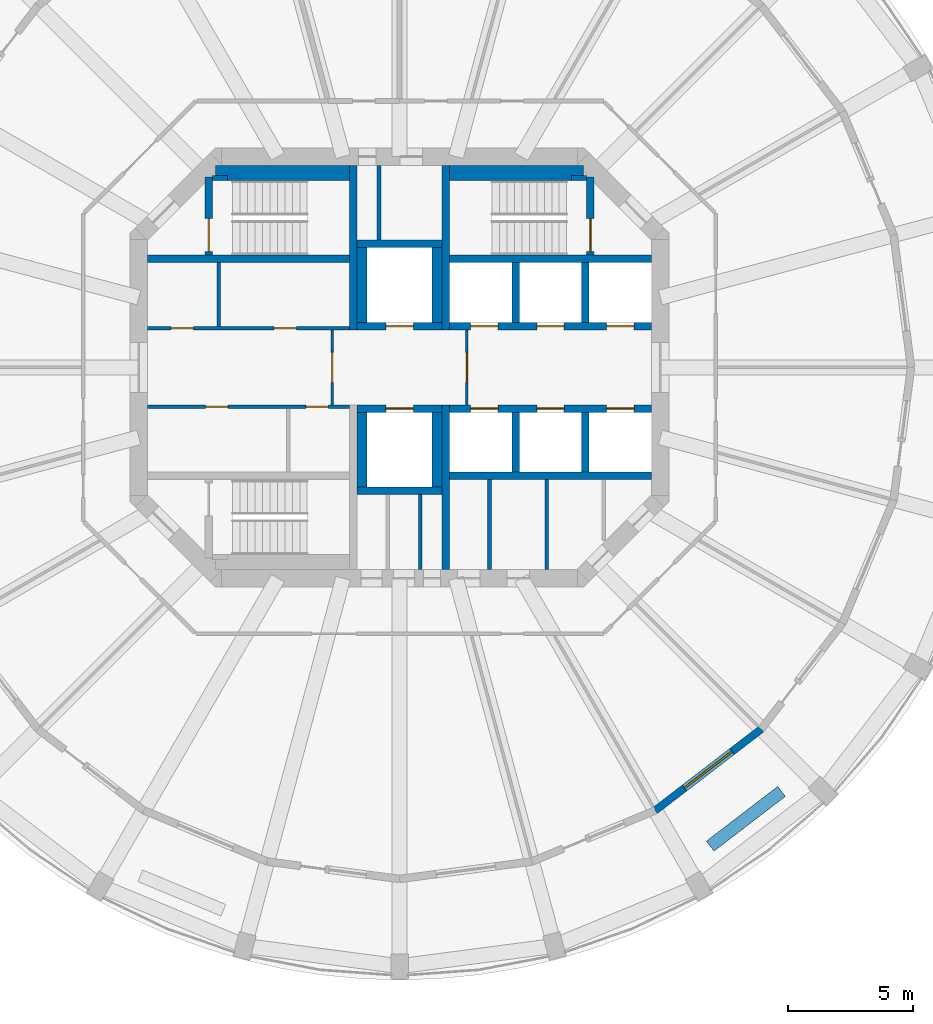
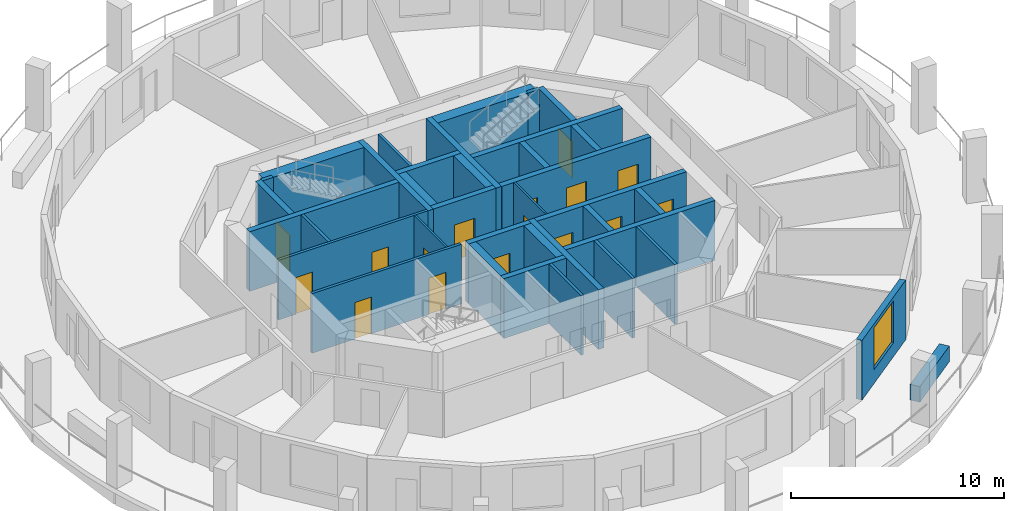
# One storey, part 4 of 9: 37 walls, 16 doors, 1 window, 17 openings.
"""IFC4 building model written with IfcOpenShell, lengths in metres."""

import ifcopenshell
import ifcopenshell.guid

model = None  # the IFC model being written
_history = None  # IfcOwnerHistory: only IFC2X3 demands one
_inside = {}  # id of a spatial element -> (the spatial element, [elements in it])
_under = {}  # id of a project, library or spatial element -> (it, [spatial elements below it])
_declared = {}  # id of a project -> (the project, [libraries it declares])
_typed = {}  # id of a type object -> (the type object, [elements of that type])
_made_of = {}  # id of a material, layer set ... -> (it, [elements and type objects made of it])


def new_model(schema):
    """Start an empty IFC model of exactly this schema.

    Asked for "IFC4X3", IfcOpenShell would pick the latest addendum, in which some entities
    have other attributes; the version numbers below select the first issue.
    IFC2X3 requires an IfcOwnerHistory on every rooted entity: one is made here for all.
    """
    global model, _history
    if schema == "IFC4X3":
        model = ifcopenshell.file(schema_version=(4, 3, 0, 0))
    else:
        model = ifcopenshell.file(schema=schema)
    _inside.clear()
    _under.clear()
    _declared.clear()
    _typed.clear()
    _made_of.clear()
    _history = None
    if model.schema == "IFC2X3":
        org = make("IfcOrganization", Name="unknown")
        user = make(
            "IfcPersonAndOrganization",
            ThePerson=make("IfcPerson", FamilyName="unknown"),
            TheOrganization=org,
        )
        app = make(
            "IfcApplication",
            ApplicationDeveloper=org,
            Version="unknown",
            ApplicationFullName="unknown",
            ApplicationIdentifier="unknown",
        )
        _history = make(
            "IfcOwnerHistory",
            OwningUser=user,
            OwningApplication=app,
            ChangeAction="ADDED",
            CreationDate=0,
        )
    return model


def make(cls, **values):
    """One entity of the class cls with the attributes given. An attribute that is None is left unset."""
    return model.create_entity(
        cls, **{name: value for name, value in values.items() if value is not None}
    )


def rooted(cls, **values):
    """An entity with a GlobalId (a new one), such as an element, a storey or a relation."""
    return make(cls, GlobalId=ifcopenshell.guid.new(), OwnerHistory=_history, **values)


def si_unit(unit_type, name, prefix=None):
    """IfcSIUnit, for example si_unit("LENGTHUNIT", "METRE", prefix="MILLI")."""
    return make("IfcSIUnit", UnitType=unit_type, Prefix=prefix, Name=name)


def assignment(units):
    """IfcUnitAssignment: the units of a project."""
    return None if units is None else make("IfcUnitAssignment", Units=units)


def point(xyz):
    """IfcCartesianPoint."""
    return None if xyz is None else make("IfcCartesianPoint", Coordinates=xyz)


def direction(xyz):
    """IfcDirection."""
    return None if xyz is None else make("IfcDirection", DirectionRatios=xyz)


def frame(location, z_axis=None, x_axis=None):
    """IfcAxis2Placement3D, a coordinate frame: its origin and axes. An axis left out is left unset."""
    return make(
        "IfcAxis2Placement3D",
        Location=point(location),
        Axis=direction(z_axis),
        RefDirection=direction(x_axis),
    )


def frame_2d(location, x_axis=None):
    """IfcAxis2Placement2D, a coordinate frame in the plane: its origin and x axis."""
    return make(
        "IfcAxis2Placement2D", Location=point(location), RefDirection=direction(x_axis)
    )


def origin():
    """The frame at (0, 0, 0) with its axes left unset."""
    return frame((0.0, 0.0, 0.0))


def place(relative_to, where):
    """IfcLocalPlacement: puts the frame where relative to a parent placement (None: the world)."""
    return make(
        "IfcLocalPlacement", PlacementRelTo=relative_to, RelativePlacement=where
    )


def context(
    kind, dimensions, precision=None, world=None, true_north=None, identifier=None
):
    """IfcGeometricRepresentationContext, for example the 3D "Model" context."""
    return make(
        "IfcGeometricRepresentationContext",
        ContextIdentifier=identifier,
        ContextType=kind,
        CoordinateSpaceDimension=dimensions,
        Precision=precision,
        WorldCoordinateSystem=world,
        TrueNorth=true_north,
    )


def subcontext(parent, identifier, kind, view, scale=None):
    """IfcGeometricRepresentationSubContext, for example "Body" below "Model"."""
    return make(
        "IfcGeometricRepresentationSubContext",
        ContextIdentifier=identifier,
        ContextType=kind,
        ParentContext=parent,
        TargetScale=scale,
        TargetView=view,
    )


def project(units=None, contexts=None):
    """IfcProject with its units and contexts."""
    return rooted(
        "IfcProject",
        Name="project",
        RepresentationContexts=contexts,
        UnitsInContext=assignment(units),
    )


def spatial(cls, under=None, at=None, **own):
    """A site, building, storey or space (cls), placed at a placement, below another one or the project."""
    s = rooted(cls, ObjectPlacement=at, **own)
    if under is not None:
        _under.setdefault(under.id(), (under, []))[1].append(s)
    return s


def profile(cls, at=None, kind="AREA", **sizes):
    """A parametric profile (cls). Its sizes go by their IFC names, for example OverallWidth=200.0."""
    return make(cls, ProfileType=kind, Position=at, **sizes)


def rectangle(**sizes):
    """IfcRectangleProfileDef."""
    return profile("IfcRectangleProfileDef", **sizes)


def extrude(swept, where, along, depth):
    """IfcExtrudedAreaSolid: the profile swept, set in the frame where, extruded along a direction by depth."""
    return make(
        "IfcExtrudedAreaSolid",
        SweptArea=swept,
        Position=where,
        ExtrudedDirection=direction(along),
        Depth=depth,
    )


def shape(context_of_items, identifier, shape_type, items):
    """IfcShapeRepresentation: the items that make up one representation, for example the "Body"."""
    return make(
        "IfcShapeRepresentation",
        ContextOfItems=context_of_items,
        RepresentationIdentifier=identifier,
        RepresentationType=shape_type,
        Items=items,
    )


def material(Name=None, Category=None):
    """IfcMaterial."""
    return make("IfcMaterial", Name=Name, Category=Category)


def layer(
    of_material, thickness, ventilated=None, Name=None, Category=None, Priority=None
):
    """IfcMaterialLayer: one layer of a wall or slab, of a material (None: an air gap)."""
    return make(
        "IfcMaterialLayer",
        Material=of_material,
        LayerThickness=thickness,
        IsVentilated=ventilated,
        Name=Name,
        Category=Category,
        Priority=Priority,
    )


def layer_set(layers, Name=None):
    """IfcMaterialLayerSet."""
    return make("IfcMaterialLayerSet", MaterialLayers=layers, LayerSetName=Name)


def made_of(thing, what):
    """Note that an element or type object is made of a material, layer set ...; save() writes the relation."""
    if what is not None:
        _made_of.setdefault(what.id(), (what, []))[1].append(thing)
    return thing


def type_object(cls, material=None, **own):
    """A type object (cls), such as IfcWallType, which elements share."""
    return made_of(rooted(cls, **own), material)


def element(
    cls,
    number,
    at=None,
    inside=None,
    cuts=None,
    type_object=None,
    material=None,
    context=None,
    identifier="Body",
    shape_type=None,
    held_by="IfcProductDefinitionShape",
    body=None,
    shapes=None,
    **own,
):
    """One element of the class cls, such as IfcWall. Its Tag is "e" and its number.

    at: its placement. inside: the storey or other place that contains it. cuts: it is an
    opening in that element (IfcRelVoidsElement). A single representation is given by context,
    identifier, shape_type and body (its items); several are given by shapes. held_by: the class
    of the entity that holds the representations. save() writes the other relations.
    """
    e = rooted(cls, Tag="e%d" % number, ObjectPlacement=at, **own)
    if body is not None:
        shapes = [shape(context, identifier, shape_type, body)]
    if shapes is not None:
        e.Representation = make(held_by, Representations=shapes)
    if inside is not None:
        _inside.setdefault(inside.id(), (inside, []))[1].append(e)
    if cuts is not None:
        rooted(
            "IfcRelVoidsElement", RelatingBuildingElement=cuts, RelatedOpeningElement=e
        )
    if type_object is not None:
        _typed.setdefault(type_object.id(), (type_object, []))[1].append(e)
    return made_of(e, material)


def fill(opening, filler):
    """IfcRelFillsElement: the door or window that sits in an opening."""
    return rooted(
        "IfcRelFillsElement",
        RelatingOpeningElement=opening,
        RelatedBuildingElement=filler,
    )


def aggregate(whole, parts):
    """IfcRelAggregates: a whole, such as a stair, and the parts it consists of."""
    return rooted("IfcRelAggregates", RelatingObject=whole, RelatedObjects=parts)


def save(model, path):
    """Write the relations noted so far, then the file.

    IfcRelAggregates (storeys below a building ...), IfcRelContainedInSpatialStructure (elements
    in a storey), IfcRelDefinesByType, IfcRelAssociatesMaterial and IfcRelDeclares: one each for
    every whole, place, type object, material and project.
    """
    for whole, parts in _under.values():
        aggregate(whole, parts)
    for where, things in _inside.values():
        rooted(
            "IfcRelContainedInSpatialStructure",
            RelatedElements=things,
            RelatingStructure=where,
        )
    for kind, things in _typed.values():
        rooted("IfcRelDefinesByType", RelatedObjects=things, RelatingType=kind)
    for what, things in _made_of.values():
        rooted("IfcRelAssociatesMaterial", RelatedObjects=things, RelatingMaterial=what)
    for by, libraries in _declared.values():
        rooted("IfcRelDeclares", RelatingContext=by, RelatedDefinitions=libraries)
    model.write(path)


model = new_model("IFC4")

# Units and contexts
model_context = context("Model", 3, precision=1e-05, world=origin(), true_north=direction((0.0, 1.0)))
body_context = subcontext(model_context, "Body", "Model", "MODEL_VIEW")
ifc_project = project(units=[si_unit("LENGTHUNIT", "METRE"), si_unit("AREAUNIT", "SQUARE_METRE"), si_unit("VOLUMEUNIT", "CUBIC_METRE"), si_unit("PLANEANGLEUNIT", "RADIAN"), si_unit("MASSUNIT", "GRAM", prefix="KILO")], contexts=[model_context])

# Site, building, storey
site_placement = place(None, origin())
site = spatial("IfcSite", under=ifc_project, at=site_placement, CompositionType="ELEMENT")
building_placement = place(site_placement, origin())
building = spatial("IfcBuilding", under=site, at=building_placement, Name="Torre Triforio", CompositionType="ELEMENT")
storey_placement = place(building_placement, frame((0.0, 0.0, 226.10009765625)))
storey = spatial("IfcBuildingStorey", under=building, at=storey_placement, Name="L51", CompositionType="ELEMENT", Elevation=226.10009765625)

# Walls
ifc_material_1 = material(Name="Concrete C50", Category="concrete")
ifc_layer_1 = layer(ifc_material_1, 0.300048828125)
ifc_layer_set_1 = layer_set([ifc_layer_1], Name="Concrete C50")
wall_type_1 = type_object("IfcWallType", Name="Core wall 300 mm C50 EI 120", PredefinedType="SHEAR", material=ifc_layer_set_1)
for number, where, z_axis, x_axis, name in (
    (1, (-1.85009765625, 1.5, 0.0), (0.0, 0.0, 1.0), (0.0, 1.0, 0.0), "Core wall"),
    (2, (1.85009765625, 1.5, 0.0), (0.0, 0.0, 1.0), (0.0, 1.0, 0.0), "Core wall"),
    (3, (1.85009765625, -8.10009765625, 0.0), (0.0, 0.0, 1.0), (0.0, 1.0, 0.0), "Core wall"),
):
    element("IfcWall", number, at=place(storey_placement, frame(where, z_axis=z_axis, x_axis=x_axis)), inside=storey, type_object=wall_type_1, Name=name, PredefinedType="SHEAR", context=body_context, shape_type="SweptSolid", body=[
        extrude(rectangle(XDim=6.60009765625, YDim=0.300048828125, at=frame_2d((3.300048828125, 0.0))), origin(), (0.0, 0.0, 1.0), 3.419921875),
    ])

# Wall, opening, door
ifc_material_2 = material(Name="Block and board partition")
ifc_layer_2 = layer(ifc_material_2, 0.10009765625)
ifc_layer_set_2 = layer_set([ifc_layer_2], Name="Block and board partition")
wall_type_2 = type_object("IfcWallType", Name="Partition 100 mm EI 120", PredefinedType="PARTITIONING", material=ifc_layer_set_2)
wall_1_placement = place(storey_placement, frame((-2.699951171875, -1.5, 0.0), z_axis=(0.0, 0.0, 1.0), x_axis=(0.0, 1.0, 0.0)))
wall_1 = element("IfcWall", 4, at=wall_1_placement, inside=storey, type_object=wall_type_2, Name="Partition", PredefinedType="PARTITIONING", context=body_context, shape_type="SweptSolid", body=[
    extrude(rectangle(XDim=3.0, YDim=0.10009765625, at=frame_2d((1.5, 0.0))), origin(), (0.0, 0.0, 1.0), 3.419921875),
])
opening_1_placement = place(wall_1_placement, frame((0.89990234375, 0.0, 0.0)))
opening_1 = element("IfcOpeningElement", 5, at=opening_1_placement, cuts=wall_1, Name="Opening FF-W", PredefinedType="OPENING", context=body_context, shape_type="SweptSolid", body=[
    extrude(rectangle(XDim=1.199951171875, YDim=2.10009765625, at=frame_2d((0.60009765625, 1.050048828125))), frame((0.0, 0.06005859375, 0.0), z_axis=(0.0, -1.0, 0.0), x_axis=(1.0, 0.0, 0.0)), (0.0, 0.0, 1.0), 0.1201171875),
])
ifc_material_3 = material(Name="Hollow metal fire door leaf")
door_type_1 = type_object("IfcDoorType", Name="Fire-fighting lobby door 1200 x 2100 EI 60", OperationType="NOTDEFINED", PredefinedType="DOOR", material=ifc_material_3)
door_1_placement = place(opening_1_placement, origin())
door_1 = element("IfcDoor", 6, at=door_1_placement, inside=storey, type_object=door_type_1, Name="Core door FF-W", OperationType="SINGLE_SWING_RIGHT", OverallHeight=2.10009765625, OverallWidth=1.199951171875, PredefinedType="DOOR", context=body_context, shape_type="SweptSolid", body=[
    extrude(rectangle(XDim=1.199951171875, YDim=2.10009765625, at=frame_2d((0.60009765625, 1.050048828125))), frame((0.0, 0.02490234375, 0.0), z_axis=(0.0, -1.0, 0.0), x_axis=(1.0, 0.0, 0.0)), (0.0, 0.0, 1.0), 0.050048828125),
])
fill(opening_1, door_1)

wall_2_placement = place(storey_placement, frame((2.699951171875, -1.5, 0.0), z_axis=(0.0, 0.0, 1.0), x_axis=(0.0, 1.0, 0.0)))
wall_2 = element("IfcWall", 7, at=wall_2_placement, inside=storey, type_object=wall_type_2, Name="Partition", PredefinedType="PARTITIONING", context=body_context, shape_type="SweptSolid", body=[
    extrude(rectangle(XDim=3.0, YDim=0.10009765625, at=frame_2d((1.5, 0.0))), origin(), (0.0, 0.0, 1.0), 3.419921875),
])
opening_2_placement = place(wall_2_placement, frame((0.89990234375, 0.0, 0.0)))
opening_2 = element("IfcOpeningElement", 8, at=opening_2_placement, cuts=wall_2, Name="Opening FF-E", PredefinedType="OPENING", context=body_context, shape_type="SweptSolid", body=[
    extrude(rectangle(XDim=1.199951171875, YDim=2.10009765625, at=frame_2d((0.60009765625, 1.050048828125))), frame((0.0, 0.06005859375, 0.0), z_axis=(0.0, -1.0, 0.0), x_axis=(1.0, 0.0, 0.0)), (0.0, 0.0, 1.0), 0.1201171875),
])
door_2_placement = place(opening_2_placement, origin())
door_2 = element("IfcDoor", 9, at=door_2_placement, inside=storey, type_object=door_type_1, Name="Core door FF-E", OperationType="SINGLE_SWING_RIGHT", OverallHeight=2.10009765625, OverallWidth=1.199951171875, PredefinedType="DOOR", context=body_context, shape_type="SweptSolid", body=[
    extrude(rectangle(XDim=1.199951171875, YDim=2.10009765625, at=frame_2d((0.60009765625, 1.050048828125))), frame((0.0, 0.02490234375, 0.0), z_axis=(0.0, -1.0, 0.0), x_axis=(1.0, 0.0, 0.0)), (0.0, 0.0, 1.0), 0.050048828125),
])
fill(opening_2, door_2)

# Walls
ifc_layer_3 = layer(ifc_material_2, 0.14990234375)
ifc_layer_set_3 = layer_set([ifc_layer_3], Name="Block and board partition")
wall_type_3 = type_object("IfcWallType", Name="Partition 150 mm", PredefinedType="PARTITIONING", material=ifc_layer_set_3)
for number, where, z_axis, x_axis, name in (
    (10, (3.60498046875, -8.10009765625, 0.0), (0.0, 0.0, 1.0), (0.0, 1.0, 0.0), "Partition"),
    (11, (5.89697265625, -8.10009765625, 0.0), (0.0, 0.0, 1.0), (0.0, 1.0, 0.0), "Partition"),
):
    element("IfcWall", number, at=place(storey_placement, frame(where, z_axis=z_axis, x_axis=x_axis)), inside=storey, type_object=wall_type_3, Name=name, PredefinedType="PARTITIONING", context=body_context, shape_type="SweptSolid", body=[
        extrude(rectangle(XDim=3.60009765625, YDim=0.14990234375, at=frame_2d((1.800048828125, 0.0))), origin(), (0.0, 0.0, 1.0), 3.419921875),
    ])
wall_3_placement = place(storey_placement, frame((-7.242431640625, 1.64990234375, 0.0), z_axis=(0.0, 0.0, 1.0), x_axis=(0.0, 1.0, 0.0)))
element("IfcWall", 12, at=wall_3_placement, inside=storey, type_object=wall_type_3, Name="Partition", PredefinedType="PARTITIONING", context=body_context, shape_type="SweptSolid", body=[
    extrude(rectangle(XDim=2.550048828125, YDim=0.14990234375, at=frame_2d((1.27490234375, 0.0))), origin(), (0.0, 0.0, 1.0), 3.419921875),
])
ifc_layer_4 = layer(ifc_material_2, 0.14990234375)
ifc_layer_set_4 = layer_set([ifc_layer_4], Name="Block and board partition")
wall_type_4 = type_object("IfcWallType", Name="Partition 150 mm EI 120", PredefinedType="PARTITIONING", material=ifc_layer_set_4)
for number, where, z_axis, x_axis, name in (
    (13, (-0.824951171875, 5.10009765625, 0.0), (0.0, 0.0, 1.0), (0.0, 1.0, 0.0), "Partition"),
    (14, (0.824951171875, -8.10009765625, 0.0), (0.0, 0.0, 1.0), (0.0, 1.0, 0.0), "Partition"),
):
    element("IfcWall", number, at=place(storey_placement, frame(where, z_axis=z_axis, x_axis=x_axis)), inside=storey, type_object=wall_type_4, Name=name, PredefinedType="PARTITIONING", context=body_context, shape_type="SweptSolid", body=[
        extrude(rectangle(XDim=3.0, YDim=0.14990234375, at=frame_2d((1.5, 0.0))), origin(), (0.0, 0.0, 1.0), 3.419921875),
    ])

# Wall, openings, doors
wall_4_placement = place(storey_placement, frame((-10.10009765625, 1.574951171875, 0.0), z_axis=(0.0, 0.0, 1.0), x_axis=(1.0, 0.0, 0.0)))
wall_4 = element("IfcWall", 15, at=wall_4_placement, inside=storey, type_object=wall_type_4, Name="Partition", PredefinedType="PARTITIONING", context=body_context, shape_type="SweptSolid", body=[
    extrude(rectangle(XDim=8.10009765625, YDim=0.14990234375, at=frame_2d((4.050048828125, 0.0))), origin(), (0.0, 0.0, 1.0), 3.419921875),
])
opening_3_placement = place(wall_4_placement, frame((0.941162109375, 0.0, 0.0)))
opening_3 = element("IfcOpeningElement", 16, at=opening_3_placement, cuts=wall_4, Name="Opening FN-01A", PredefinedType="OPENING", context=body_context, shape_type="SweptSolid", body=[
    extrude(rectangle(XDim=0.89990234375, YDim=2.10009765625, at=frame_2d((0.449951171875, 1.050048828125))), frame((0.0, 0.0849609375, 0.0), z_axis=(0.0, -1.0, 0.0), x_axis=(1.0, 0.0, 0.0)), (0.0, 0.0, 1.0), 0.169921875),
])
opening_4_placement = place(wall_4_placement, frame((5.066162109375, 0.0, 0.0)))
opening_4 = element("IfcOpeningElement", 17, at=opening_4_placement, cuts=wall_4, Name="Opening FN-02", PredefinedType="OPENING", context=body_context, shape_type="SweptSolid", body=[
    extrude(rectangle(XDim=0.89990234375, YDim=2.10009765625, at=frame_2d((0.449951171875, 1.050048828125))), frame((0.0, 0.0849609375, 0.0), z_axis=(0.0, -1.0, 0.0), x_axis=(1.0, 0.0, 0.0)), (0.0, 0.0, 1.0), 0.169921875),
])
door_type_2 = type_object("IfcDoorType", Name="Plant room door 900 x 2100 EI 60", OperationType="NOTDEFINED", PredefinedType="DOOR", material=ifc_material_3)
door_3_placement = place(opening_3_placement, origin())
door_3 = element("IfcDoor", 18, at=door_3_placement, inside=storey, type_object=door_type_2, Name="Core door FN-01", OperationType="SINGLE_SWING_RIGHT", OverallHeight=2.10009765625, OverallWidth=0.89990234375, PredefinedType="DOOR", context=body_context, shape_type="SweptSolid", body=[
    extrude(rectangle(XDim=0.89990234375, YDim=2.10009765625, at=frame_2d((0.449951171875, 1.050048828125))), frame((0.0, 0.02490234375, 0.0), z_axis=(0.0, -1.0, 0.0), x_axis=(1.0, 0.0, 0.0)), (0.0, 0.0, 1.0), 0.050048828125),
])
fill(opening_3, door_3)
door_type_3 = type_object("IfcDoorType", Name="Room door 900 x 2100 EI 60", OperationType="NOTDEFINED", PredefinedType="DOOR", material=ifc_material_3)
door_4_placement = place(opening_4_placement, origin())
door_4 = element("IfcDoor", 19, at=door_4_placement, inside=storey, type_object=door_type_3, Name="Core door FN-02", OperationType="SINGLE_SWING_RIGHT", OverallHeight=2.10009765625, OverallWidth=0.89990234375, PredefinedType="DOOR", context=body_context, shape_type="SweptSolid", body=[
    extrude(rectangle(XDim=0.89990234375, YDim=2.10009765625, at=frame_2d((0.449951171875, 1.050048828125))), frame((0.0, 0.02490234375, 0.0), z_axis=(0.0, -1.0, 0.0), x_axis=(1.0, 0.0, 0.0)), (0.0, 0.0, 1.0), 0.050048828125),
])
fill(opening_4, door_4)

wall_5_placement = place(storey_placement, frame((-10.10009765625, -1.574951171875, 0.0), z_axis=(0.0, 0.0, 1.0), x_axis=(1.0, 0.0, 0.0)))
wall_5 = element("IfcWall", 20, at=wall_5_placement, inside=storey, type_object=wall_type_4, Name="Partition", PredefinedType="PARTITIONING", context=body_context, shape_type="SweptSolid", body=[
    extrude(rectangle(XDim=8.10009765625, YDim=0.14990234375, at=frame_2d((4.050048828125, 0.0))), origin(), (0.0, 0.0, 1.0), 3.419921875),
])
opening_5_placement = place(wall_5_placement, frame((2.33251953125, 0.0, 0.0)))
opening_5 = element("IfcOpeningElement", 21, at=opening_5_placement, cuts=wall_5, Name="Opening FS-01", PredefinedType="OPENING", context=body_context, shape_type="SweptSolid", body=[
    extrude(rectangle(XDim=0.89990234375, YDim=2.10009765625, at=frame_2d((0.449951171875, 1.050048828125))), frame((0.0, 0.0849609375, 0.0), z_axis=(0.0, -1.0, 0.0), x_axis=(1.0, 0.0, 0.0)), (0.0, 0.0, 1.0), 0.169921875),
])
opening_6_placement = place(wall_5_placement, frame((6.35009765625, 0.0, 0.0)))
opening_6 = element("IfcOpeningElement", 22, at=opening_6_placement, cuts=wall_5, Name="Opening FS-02A", PredefinedType="OPENING", context=body_context, shape_type="SweptSolid", body=[
    extrude(rectangle(XDim=0.89990234375, YDim=2.10009765625, at=frame_2d((0.449951171875, 1.050048828125))), frame((0.0, 0.0849609375, 0.0), z_axis=(0.0, -1.0, 0.0), x_axis=(1.0, 0.0, 0.0)), (0.0, 0.0, 1.0), 0.169921875),
])
door_5_placement = place(opening_6_placement, origin())
door_5 = element("IfcDoor", 23, at=door_5_placement, inside=storey, type_object=door_type_2, Name="Core door FS-02", OperationType="SINGLE_SWING_LEFT", OverallHeight=2.10009765625, OverallWidth=0.89990234375, PredefinedType="DOOR", context=body_context, shape_type="SweptSolid", body=[
    extrude(rectangle(XDim=0.89990234375, YDim=2.10009765625, at=frame_2d((0.449951171875, 1.050048828125))), frame((0.0, 0.02490234375, 0.0), z_axis=(0.0, -1.0, 0.0), x_axis=(1.0, 0.0, 0.0)), (0.0, 0.0, 1.0), 0.050048828125),
])
fill(opening_6, door_5)
door_6_placement = place(opening_5_placement, origin())
door_6 = element("IfcDoor", 24, at=door_6_placement, inside=storey, type_object=door_type_3, Name="Core door FS-01", OperationType="SINGLE_SWING_LEFT", OverallHeight=2.10009765625, OverallWidth=0.89990234375, PredefinedType="DOOR", context=body_context, shape_type="SweptSolid", body=[
    extrude(rectangle(XDim=0.89990234375, YDim=2.10009765625, at=frame_2d((0.449951171875, 1.050048828125))), frame((0.0, 0.02490234375, 0.0), z_axis=(0.0, -1.0, 0.0), x_axis=(1.0, 0.0, 0.0)), (0.0, 0.0, 1.0), 0.050048828125),
])
fill(opening_5, door_6)

# Walls
ifc_material_4 = material(Name="Limestone cladding", Category="masonry")
ifc_layer_5 = layer(ifc_material_4, 0.10009765625)
ifc_material_5 = material(Name="Concrete C40", Category="concrete")
ifc_layer_6 = layer(ifc_material_5, 0.39990234375)
ifc_layer_set_5 = layer_set([ifc_layer_5, ifc_layer_6], Name="Limestone cladding / Concrete C40")
wall_type_5 = type_object("IfcWallType", Name="Planter wall 500", PredefinedType="PARAPET", material=ifc_layer_set_5)
wall_6_placement = place(storey_placement, frame((12.45166015625, -19.18408203125, 0.0), z_axis=(0.0, 0.0, 1.0), x_axis=(0.793384730612, 0.608720518162, 0.0)))
element("IfcWall", 25, at=wall_6_placement, inside=storey, type_object=wall_type_5, Name="Planter L51 bay 21", PredefinedType="PARAPET", context=body_context, shape_type="SweptSolid", body=[
    extrude(rectangle(XDim=3.60009765625, YDim=0.5, at=frame_2d((1.800048828125, 0.0))), origin(), (0.0, 0.0, 1.0), 0.89990234375),
])
ifc_layer_7 = layer(ifc_material_1, 0.300048828125)
ifc_layer_set_6 = layer_set([ifc_layer_7], Name="Concrete C50")
wall_type_6 = type_object("IfcWallType", Name="Shaft wall 300 mm C50 EI 120", PredefinedType="SOLIDWALL", material=ifc_layer_set_6)
for number, where, z_axis, x_axis, name in (
    (26, (-10.10009765625, 4.35009765625, 0.0), (0.0, 0.0, 1.0), (1.0, 0.0, 0.0), "Shaft wall"),
    (27, (2.0, 4.35009765625, 0.0), (0.0, 0.0, 1.0), (1.0, 0.0, 0.0), "Shaft wall"),
    (28, (2.0, -4.35009765625, 0.0), (0.0, 0.0, 1.0), (1.0, 0.0, 0.0), "Shaft wall"),
):
    element("IfcWall", number, at=place(storey_placement, frame(where, z_axis=z_axis, x_axis=x_axis)), inside=storey, type_object=wall_type_6, Name=name, PredefinedType="SOLIDWALL", context=body_context, shape_type="SweptSolid", body=[
        extrude(rectangle(XDim=8.10009765625, YDim=0.300048828125, at=frame_2d((4.050048828125, 0.0))), origin(), (0.0, 0.0, 1.0), 3.419921875),
    ])

# Wall, openings, doors
wall_7_placement = place(storey_placement, frame((2.0, 1.64990234375, 0.0), z_axis=(0.0, 0.0, 1.0), x_axis=(1.0, 0.0, 0.0)))
wall_7 = element("IfcWall", 29, at=wall_7_placement, inside=storey, type_object=wall_type_6, Name="Shaft wall", PredefinedType="SOLIDWALL", context=body_context, shape_type="SweptSolid", body=[
    extrude(rectangle(XDim=8.10009765625, YDim=0.300048828125, at=frame_2d((4.050048828125, 0.0))), origin(), (0.0, 0.0, 1.0), 3.419921875),
])
opening_7_placement = place(wall_7_placement, frame((0.85009765625, 0.0, 0.0)))
opening_7 = element("IfcOpeningElement", 30, at=opening_7_placement, cuts=wall_7, Name="Opening LD", PredefinedType="OPENING", context=body_context, shape_type="SweptSolid", body=[
    extrude(rectangle(XDim=1.10009765625, YDim=2.10009765625, at=frame_2d((0.550048828125, 1.050048828125))), frame((0.0, 0.159912109375, 0.0), z_axis=(0.0, -1.0, 0.0), x_axis=(1.0, 0.0, 0.0)), (0.0, 0.0, 1.0), 0.320068359375),
])
opening_8_placement = place(wall_7_placement, frame((3.5, 0.0, 0.0)))
opening_8 = element("IfcOpeningElement", 31, at=opening_8_placement, cuts=wall_7, Name="Opening LD", PredefinedType="OPENING", context=body_context, shape_type="SweptSolid", body=[
    extrude(rectangle(XDim=1.10009765625, YDim=2.10009765625, at=frame_2d((0.550048828125, 1.050048828125))), frame((0.0, 0.159912109375, 0.0), z_axis=(0.0, -1.0, 0.0), x_axis=(1.0, 0.0, 0.0)), (0.0, 0.0, 1.0), 0.320068359375),
])
opening_9_placement = place(wall_7_placement, frame((6.300048828125, 0.0, 0.0)))
opening_9 = element("IfcOpeningElement", 32, at=opening_9_placement, cuts=wall_7, Name="Opening LD", PredefinedType="OPENING", context=body_context, shape_type="SweptSolid", body=[
    extrude(rectangle(XDim=1.10009765625, YDim=2.10009765625, at=frame_2d((0.550048828125, 1.050048828125))), frame((0.0, 0.159912109375, 0.0), z_axis=(0.0, -1.0, 0.0), x_axis=(1.0, 0.0, 0.0)), (0.0, 0.0, 1.0), 0.320068359375),
])
door_type_4 = type_object("IfcDoorType", Name="Landing door 1100 x 2100 EI 60", OperationType="DOUBLE_DOOR_SLIDING", PredefinedType="DOOR", material=ifc_material_3)
door_7_placement = place(opening_7_placement, origin())
door_7 = element("IfcDoor", 33, at=door_7_placement, inside=storey, type_object=door_type_4, Name="Landing door HR1", OperationType="DOUBLE_DOOR_SLIDING", OverallHeight=2.10009765625, OverallWidth=1.10009765625, PredefinedType="DOOR", context=body_context, shape_type="SweptSolid", body=[
    extrude(rectangle(XDim=1.10009765625, YDim=2.10009765625, at=frame_2d((0.550048828125, 1.050048828125))), frame((0.0, 0.02490234375, 0.0), z_axis=(0.0, -1.0, 0.0), x_axis=(1.0, 0.0, 0.0)), (0.0, 0.0, 1.0), 0.050048828125),
])
fill(opening_7, door_7)
door_8_placement = place(opening_8_placement, origin())
door_8 = element("IfcDoor", 34, at=door_8_placement, inside=storey, type_object=door_type_4, Name="Landing door HR2", OperationType="DOUBLE_DOOR_SLIDING", OverallHeight=2.10009765625, OverallWidth=1.10009765625, PredefinedType="DOOR", context=body_context, shape_type="SweptSolid", body=[
    extrude(rectangle(XDim=1.10009765625, YDim=2.10009765625, at=frame_2d((0.550048828125, 1.050048828125))), frame((0.0, 0.02490234375, 0.0), z_axis=(0.0, -1.0, 0.0), x_axis=(1.0, 0.0, 0.0)), (0.0, 0.0, 1.0), 0.050048828125),
])
fill(opening_8, door_8)
door_9_placement = place(opening_9_placement, origin())
door_9 = element("IfcDoor", 35, at=door_9_placement, inside=storey, type_object=door_type_4, Name="Landing door HR3", OperationType="DOUBLE_DOOR_SLIDING", OverallHeight=2.10009765625, OverallWidth=1.10009765625, PredefinedType="DOOR", context=body_context, shape_type="SweptSolid", body=[
    extrude(rectangle(XDim=1.10009765625, YDim=2.10009765625, at=frame_2d((0.550048828125, 1.050048828125))), frame((0.0, 0.02490234375, 0.0), z_axis=(0.0, -1.0, 0.0), x_axis=(1.0, 0.0, 0.0)), (0.0, 0.0, 1.0), 0.050048828125),
])
fill(opening_9, door_9)

wall_8_placement = place(storey_placement, frame((2.0, -1.64990234375, 0.0), z_axis=(0.0, 0.0, 1.0), x_axis=(1.0, 0.0, 0.0)))
wall_8 = element("IfcWall", 36, at=wall_8_placement, inside=storey, type_object=wall_type_6, Name="Shaft wall", PredefinedType="SOLIDWALL", context=body_context, shape_type="SweptSolid", body=[
    extrude(rectangle(XDim=8.10009765625, YDim=0.300048828125, at=frame_2d((4.050048828125, 0.0))), origin(), (0.0, 0.0, 1.0), 3.419921875),
])
opening_10_placement = place(wall_8_placement, frame((0.85009765625, 0.0, 0.0)))
opening_10 = element("IfcOpeningElement", 37, at=opening_10_placement, cuts=wall_8, Name="Opening LD", PredefinedType="OPENING", context=body_context, shape_type="SweptSolid", body=[
    extrude(rectangle(XDim=1.10009765625, YDim=2.10009765625, at=frame_2d((0.550048828125, 1.050048828125))), frame((0.0, 0.159912109375, 0.0), z_axis=(0.0, -1.0, 0.0), x_axis=(1.0, 0.0, 0.0)), (0.0, 0.0, 1.0), 0.320068359375),
])
opening_11_placement = place(wall_8_placement, frame((3.5, 0.0, 0.0)))
opening_11 = element("IfcOpeningElement", 38, at=opening_11_placement, cuts=wall_8, Name="Opening LD", PredefinedType="OPENING", context=body_context, shape_type="SweptSolid", body=[
    extrude(rectangle(XDim=1.10009765625, YDim=2.10009765625, at=frame_2d((0.550048828125, 1.050048828125))), frame((0.0, 0.159912109375, 0.0), z_axis=(0.0, -1.0, 0.0), x_axis=(1.0, 0.0, 0.0)), (0.0, 0.0, 1.0), 0.320068359375),
])
opening_12_placement = place(wall_8_placement, frame((6.300048828125, 0.0, 0.0)))
opening_12 = element("IfcOpeningElement", 39, at=opening_12_placement, cuts=wall_8, Name="Opening LD", PredefinedType="OPENING", context=body_context, shape_type="SweptSolid", body=[
    extrude(rectangle(XDim=1.10009765625, YDim=2.10009765625, at=frame_2d((0.550048828125, 1.050048828125))), frame((0.0, 0.159912109375, 0.0), z_axis=(0.0, -1.0, 0.0), x_axis=(1.0, 0.0, 0.0)), (0.0, 0.0, 1.0), 0.320068359375),
])
door_10_placement = place(opening_10_placement, origin())
door_10 = element("IfcDoor", 40, at=door_10_placement, inside=storey, type_object=door_type_4, Name="Landing door HR4", OperationType="DOUBLE_DOOR_SLIDING", OverallHeight=2.10009765625, OverallWidth=1.10009765625, PredefinedType="DOOR", context=body_context, shape_type="SweptSolid", body=[
    extrude(rectangle(XDim=1.10009765625, YDim=2.10009765625, at=frame_2d((0.550048828125, 1.050048828125))), frame((0.0, 0.02490234375, 0.0), z_axis=(0.0, -1.0, 0.0), x_axis=(1.0, 0.0, 0.0)), (0.0, 0.0, 1.0), 0.050048828125),
])
fill(opening_10, door_10)
door_11_placement = place(opening_11_placement, origin())
door_11 = element("IfcDoor", 41, at=door_11_placement, inside=storey, type_object=door_type_4, Name="Landing door HR5", OperationType="DOUBLE_DOOR_SLIDING", OverallHeight=2.10009765625, OverallWidth=1.10009765625, PredefinedType="DOOR", context=body_context, shape_type="SweptSolid", body=[
    extrude(rectangle(XDim=1.10009765625, YDim=2.10009765625, at=frame_2d((0.550048828125, 1.050048828125))), frame((0.0, 0.02490234375, 0.0), z_axis=(0.0, -1.0, 0.0), x_axis=(1.0, 0.0, 0.0)), (0.0, 0.0, 1.0), 0.050048828125),
])
fill(opening_11, door_11)
door_12_placement = place(opening_12_placement, origin())
door_12 = element("IfcDoor", 42, at=door_12_placement, inside=storey, type_object=door_type_4, Name="Landing door HR6", OperationType="DOUBLE_DOOR_SLIDING", OverallHeight=2.10009765625, OverallWidth=1.10009765625, PredefinedType="DOOR", context=body_context, shape_type="SweptSolid", body=[
    extrude(rectangle(XDim=1.10009765625, YDim=2.10009765625, at=frame_2d((0.550048828125, 1.050048828125))), frame((0.0, 0.02490234375, 0.0), z_axis=(0.0, -1.0, 0.0), x_axis=(1.0, 0.0, 0.0)), (0.0, 0.0, 1.0), 0.050048828125),
])
fill(opening_12, door_12)

# Walls
for number, where, z_axis, x_axis, name in (
    (43, (4.64990234375, 1.800048828125, 0.0), (0.0, 0.0, 1.0), (0.0, 1.0, 0.0), "Shaft wall"),
    (44, (4.64990234375, -4.199951171875, 0.0), (0.0, 0.0, 1.0), (0.0, 1.0, 0.0), "Shaft wall"),
    (45, (7.449951171875, 1.800048828125, 0.0), (0.0, 0.0, 1.0), (0.0, 1.0, 0.0), "Shaft wall"),
    (46, (7.449951171875, -4.199951171875, 0.0), (0.0, 0.0, 1.0), (0.0, 1.0, 0.0), "Shaft wall"),
):
    element("IfcWall", number, at=place(storey_placement, frame(where, z_axis=z_axis, x_axis=x_axis)), inside=storey, type_object=wall_type_6, Name=name, PredefinedType="SOLIDWALL", context=body_context, shape_type="SweptSolid", body=[
        extrude(rectangle(XDim=2.39990234375, YDim=0.300048828125, at=frame_2d((1.199951171875, 0.0))), origin(), (0.0, 0.0, 1.0), 3.419921875),
    ])

# Wall, opening, door
wall_9_placement = place(storey_placement, frame((-1.699951171875, 1.64990234375, 0.0), z_axis=(0.0, 0.0, 1.0), x_axis=(1.0, 0.0, 0.0)))
wall_9 = element("IfcWall", 47, at=wall_9_placement, inside=storey, type_object=wall_type_6, Name="Shaft wall", PredefinedType="SOLIDWALL", context=body_context, shape_type="SweptSolid", body=[
    extrude(rectangle(XDim=3.39990234375, YDim=0.300048828125, at=frame_2d((1.699951171875, 0.0))), origin(), (0.0, 0.0, 1.0), 3.419921875),
])
opening_13_placement = place(wall_9_placement, frame((1.14990234375, 0.0, 0.0)))
opening_13 = element("IfcOpeningElement", 48, at=opening_13_placement, cuts=wall_9, Name="Opening LD", PredefinedType="OPENING", context=body_context, shape_type="SweptSolid", body=[
    extrude(rectangle(XDim=1.10009765625, YDim=2.10009765625, at=frame_2d((0.550048828125, 1.050048828125))), frame((0.0, 0.159912109375, 0.0), z_axis=(0.0, -1.0, 0.0), x_axis=(1.0, 0.0, 0.0)), (0.0, 0.0, 1.0), 0.320068359375),
])
door_13_placement = place(opening_13_placement, origin())
door_13 = element("IfcDoor", 49, at=door_13_placement, inside=storey, type_object=door_type_4, Name="Landing door FFL1", OperationType="DOUBLE_DOOR_SLIDING", OverallHeight=2.10009765625, OverallWidth=1.10009765625, PredefinedType="DOOR", context=body_context, shape_type="SweptSolid", body=[
    extrude(rectangle(XDim=1.10009765625, YDim=2.10009765625, at=frame_2d((0.550048828125, 1.050048828125))), frame((0.0, 0.02490234375, 0.0), z_axis=(0.0, -1.0, 0.0), x_axis=(1.0, 0.0, 0.0)), (0.0, 0.0, 1.0), 0.050048828125),
])
fill(opening_13, door_13)

wall_10_placement = place(storey_placement, frame((-1.699951171875, -1.64990234375, 0.0), z_axis=(0.0, 0.0, 1.0), x_axis=(1.0, 0.0, 0.0)))
wall_10 = element("IfcWall", 50, at=wall_10_placement, inside=storey, type_object=wall_type_6, Name="Shaft wall", PredefinedType="SOLIDWALL", context=body_context, shape_type="SweptSolid", body=[
    extrude(rectangle(XDim=3.39990234375, YDim=0.300048828125, at=frame_2d((1.699951171875, 0.0))), origin(), (0.0, 0.0, 1.0), 3.419921875),
])
opening_14_placement = place(wall_10_placement, frame((1.14990234375, 0.0, 0.0)))
opening_14 = element("IfcOpeningElement", 51, at=opening_14_placement, cuts=wall_10, Name="Opening LD", PredefinedType="OPENING", context=body_context, shape_type="SweptSolid", body=[
    extrude(rectangle(XDim=1.10009765625, YDim=2.10009765625, at=frame_2d((0.550048828125, 1.050048828125))), frame((0.0, 0.159912109375, 0.0), z_axis=(0.0, -1.0, 0.0), x_axis=(1.0, 0.0, 0.0)), (0.0, 0.0, 1.0), 0.320068359375),
])
door_14_placement = place(opening_14_placement, origin())
door_14 = element("IfcDoor", 52, at=door_14_placement, inside=storey, type_object=door_type_4, Name="Landing door FFL2", OperationType="DOUBLE_DOOR_SLIDING", OverallHeight=2.10009765625, OverallWidth=1.10009765625, PredefinedType="DOOR", context=body_context, shape_type="SweptSolid", body=[
    extrude(rectangle(XDim=1.10009765625, YDim=2.10009765625, at=frame_2d((0.550048828125, 1.050048828125))), frame((0.0, 0.02490234375, 0.0), z_axis=(0.0, -1.0, 0.0), x_axis=(1.0, 0.0, 0.0)), (0.0, 0.0, 1.0), 0.050048828125),
])
fill(opening_14, door_14)

# Walls
for number, where, z_axis, x_axis, name in (
    (53, (-1.699951171875, 4.949951171875, 0.0), (0.0, 0.0, 1.0), (1.0, 0.0, 0.0), "Shaft wall"),
    (54, (-1.699951171875, -4.949951171875, 0.0), (0.0, 0.0, 1.0), (1.0, 0.0, 0.0), "Shaft wall"),
):
    element("IfcWall", number, at=place(storey_placement, frame(where, z_axis=z_axis, x_axis=x_axis)), inside=storey, type_object=wall_type_6, Name=name, PredefinedType="SOLIDWALL", context=body_context, shape_type="SweptSolid", body=[
        extrude(rectangle(XDim=3.39990234375, YDim=0.300048828125, at=frame_2d((1.699951171875, 0.0))), origin(), (0.0, 0.0, 1.0), 3.419921875),
    ])
ifc_layer_8 = layer(ifc_material_1, 0.39990234375)
ifc_layer_set_7 = layer_set([ifc_layer_8], Name="Concrete C50")
wall_type_7 = type_object("IfcWallType", Name="Shaft wall 400 mm C50 EI 120", PredefinedType="SOLIDWALL", material=ifc_layer_set_7)
for number, where, z_axis, x_axis, name in (
    (55, (-1.5, 1.800048828125, 0.0), (0.0, 0.0, 1.0), (0.0, 1.0, 0.0), "Shaft wall"),
    (56, (-1.5, -4.800048828125, 0.0), (0.0, 0.0, 1.0), (0.0, 1.0, 0.0), "Shaft wall"),
    (57, (1.5, 1.800048828125, 0.0), (0.0, 0.0, 1.0), (0.0, 1.0, 0.0), "Shaft wall"),
    (58, (1.5, -4.800048828125, 0.0), (0.0, 0.0, 1.0), (0.0, 1.0, 0.0), "Shaft wall"),
):
    element("IfcWall", number, at=place(storey_placement, frame(where, z_axis=z_axis, x_axis=x_axis)), inside=storey, type_object=wall_type_7, Name=name, PredefinedType="SOLIDWALL", context=body_context, shape_type="SweptSolid", body=[
        extrude(rectangle(XDim=3.0, YDim=0.39990234375, at=frame_2d((1.5, 0.0))), origin(), (0.0, 0.0, 1.0), 3.419921875),
    ])
ifc_layer_9 = layer(ifc_material_1, 0.199951171875)
ifc_layer_set_8 = layer_set([ifc_layer_9], Name="Concrete C50")
wall_type_8 = type_object("IfcWallType", Name="Stair wall 200 mm C50 EI 120", PredefinedType="SHEAR", material=ifc_layer_set_8)
for number, where, z_axis, x_axis, name in (
    (59, (-7.5, 7.60009765625, 0.0), (0.0, 0.0, 1.0), (1.0, 0.0, 0.0), "Stair wall"),
    (60, (6.89990234375, 7.60009765625, 0.0), (0.0, 0.0, 1.0), (1.0, 0.0, 0.0), "Stair wall"),
):
    element("IfcWall", number, at=place(storey_placement, frame(where, z_axis=z_axis, x_axis=x_axis)), inside=storey, type_object=wall_type_8, Name=name, PredefinedType="SHEAR", context=body_context, shape_type="SweptSolid", body=[
        extrude(rectangle(XDim=0.60009765625, YDim=0.199951171875, at=frame_2d((0.300048828125, 0.0))), origin(), (0.0, 0.0, 1.0), 3.419921875),
    ])

# Wall, opening, door
ifc_layer_10 = layer(ifc_material_1, 0.300048828125)
ifc_layer_set_9 = layer_set([ifc_layer_10], Name="Concrete C50")
wall_type_9 = type_object("IfcWallType", Name="Stair wall 300 mm C50 EI 120", PredefinedType="SHEAR", material=ifc_layer_set_9)
wall_11_placement = place(storey_placement, frame((-7.64990234375, 4.5, 0.0), z_axis=(0.0, 0.0, 1.0), x_axis=(0.0, 1.0, 0.0)))
wall_11 = element("IfcWall", 61, at=wall_11_placement, inside=storey, type_object=wall_type_9, Name="Stair wall", PredefinedType="SHEAR", context=body_context, shape_type="SweptSolid", body=[
    extrude(rectangle(XDim=3.139892578125, YDim=0.300048828125, at=frame_2d((1.56982421875, 0.0))), origin(), (0.0, 0.0, 1.0), 3.419921875),
])
opening_15_placement = place(wall_11_placement, frame((0.139892578125, 0.0, 0.0)))
opening_15 = element("IfcOpeningElement", 62, at=opening_15_placement, cuts=wall_11, Name="Opening ST1-STA", PredefinedType="OPENING", context=body_context, shape_type="SweptSolid", body=[
    extrude(rectangle(XDim=1.320068359375, YDim=2.10009765625, at=frame_2d((0.66015625, 1.050048828125))), frame((0.0, 0.159912109375, 0.0), z_axis=(0.0, -1.0, 0.0), x_axis=(1.0, 0.0, 0.0)), (0.0, 0.0, 1.0), 0.320068359375),
])
door_type_5 = type_object("IfcDoorType", Name="Stair door 1320 x 2100 EI 90", OperationType="DOUBLE_DOOR_SINGLE_SWING", PredefinedType="DOOR", material=ifc_material_3)
door_15_placement = place(opening_15_placement, origin())
door_15 = element("IfcDoor", 63, at=door_15_placement, inside=storey, type_object=door_type_5, Name="Core door ST1-ST", OperationType="DOUBLE_DOOR_SINGLE_SWING", OverallHeight=2.10009765625, OverallWidth=1.320068359375, PredefinedType="DOOR", context=body_context, shape_type="SweptSolid", body=[
    extrude(rectangle(XDim=1.320068359375, YDim=2.10009765625, at=frame_2d((0.66015625, 1.050048828125))), frame((0.0, 0.02490234375, 0.0), z_axis=(0.0, -1.0, 0.0), x_axis=(1.0, 0.0, 0.0)), (0.0, 0.0, 1.0), 0.050048828125),
])
fill(opening_15, door_15)

wall_12_placement = place(storey_placement, frame((7.64990234375, 4.5, 0.0), z_axis=(0.0, 0.0, 1.0), x_axis=(0.0, 1.0, 0.0)))
wall_12 = element("IfcWall", 64, at=wall_12_placement, inside=storey, type_object=wall_type_9, Name="Stair wall", PredefinedType="SHEAR", context=body_context, shape_type="SweptSolid", body=[
    extrude(rectangle(XDim=3.139892578125, YDim=0.300048828125, at=frame_2d((1.56982421875, 0.0))), origin(), (0.0, 0.0, 1.0), 3.419921875),
])
opening_16_placement = place(wall_12_placement, frame((0.139892578125, 0.0, 0.0)))
opening_16 = element("IfcOpeningElement", 65, at=opening_16_placement, cuts=wall_12, Name="Opening ST2-STA", PredefinedType="OPENING", context=body_context, shape_type="SweptSolid", body=[
    extrude(rectangle(XDim=1.320068359375, YDim=2.10009765625, at=frame_2d((0.66015625, 1.050048828125))), frame((0.0, 0.159912109375, 0.0), z_axis=(0.0, -1.0, 0.0), x_axis=(1.0, 0.0, 0.0)), (0.0, 0.0, 1.0), 0.320068359375),
])
door_16_placement = place(opening_16_placement, origin())
door_16 = element("IfcDoor", 66, at=door_16_placement, inside=storey, type_object=door_type_5, Name="Core door ST2-ST", OperationType="DOUBLE_DOOR_SINGLE_SWING", OverallHeight=2.10009765625, OverallWidth=1.320068359375, PredefinedType="DOOR", context=body_context, shape_type="SweptSolid", body=[
    extrude(rectangle(XDim=1.320068359375, YDim=2.10009765625, at=frame_2d((0.66015625, 1.050048828125))), frame((0.0, 0.02490234375, 0.0), z_axis=(0.0, -1.0, 0.0), x_axis=(1.0, 0.0, 0.0)), (0.0, 0.0, 1.0), 0.050048828125),
])
fill(opening_16, door_16)

# Walls
ifc_layer_11 = layer(ifc_material_1, 0.60009765625)
ifc_layer_set_10 = layer_set([ifc_layer_11], Name="Concrete C50")
wall_type_10 = type_object("IfcWallType", Name="Stair wall 600 mm C50 EI 120", PredefinedType="SHEAR", material=ifc_layer_set_10)
for number, where, z_axis, x_axis, name in (
    (67, (-7.3701171875, 7.800048828125, 0.0), (0.0, 0.0, 1.0), (1.0, 0.0, 0.0), "Stair wall"),
    (68, (2.0, 7.800048828125, 0.0), (0.0, 0.0, 1.0), (1.0, 0.0, 0.0), "Stair wall"),
):
    element("IfcWall", number, at=place(storey_placement, frame(where, z_axis=z_axis, x_axis=x_axis)), inside=storey, type_object=wall_type_10, Name=name, PredefinedType="SHEAR", context=body_context, shape_type="SweptSolid", body=[
        extrude(rectangle(XDim=5.3701171875, YDim=0.60009765625, at=frame_2d((2.68505859375, 0.0))), origin(), (0.0, 0.0, 1.0), 3.419921875),
    ])

# Wall, opening, window
ifc_layer_12 = layer(ifc_material_4, 0.10009765625)
ifc_layer_13 = layer(ifc_material_5, 0.199951171875)
ifc_layer_set_11 = layer_set([ifc_layer_12, ifc_layer_13], Name="Limestone cladding / Concrete C40")
wall_type_11 = type_object("IfcWallType", Name="Stone-faced composite wall 300", PredefinedType="STANDARD", material=ifc_layer_set_11)
wall_13_placement = place(storey_placement, frame((10.25, -17.75341796875, 0.0), z_axis=(0.0, 0.0, 1.0), x_axis=(0.793349293227, 0.60876670321, 0.0)))
wall_13 = element("IfcWall", 69, at=wall_13_placement, inside=storey, type_object=wall_type_11, Name="External wall L51 bay 21", PredefinedType="STANDARD", context=body_context, shape_type="SweptSolid", body=[
    extrude(rectangle(XDim=5.3515625, YDim=0.300048828125, at=frame_2d((2.67578125, 0.0))), origin(), (0.0, 0.0, 1.0), 3.419921875),
])
opening_17_placement = place(wall_13_placement, frame((1.475830078125, 0.0, 0.800048828125)))
opening_17 = element("IfcOpeningElement", 70, at=opening_17_placement, cuts=wall_13, Name="Opening O7-W21", PredefinedType="OPENING", context=body_context, shape_type="SweptSolid", body=[
    extrude(rectangle(XDim=2.39990234375, YDim=2.39990234375, at=frame_2d((1.199951171875, 1.199951171875))), frame((0.0, 0.159912109375, 0.0), z_axis=(0.0, -1.0, 0.0), x_axis=(1.0, 0.0, 0.0)), (0.0, 0.0, 1.0), 0.320068359375),
])
ifc_material_6 = material(Name="Aluminium frame with clear double glazing", Category="aluminium")
window_type = type_object("IfcWindowType", Name="Punched window 2400 x 2400", PartitioningType="DOUBLE_PANEL_VERTICAL", PredefinedType="WINDOW", material=ifc_material_6)
window_placement = place(opening_17_placement, origin())
window = element("IfcWindow", 71, at=window_placement, inside=storey, type_object=window_type, Name="Window EWN4 L51 bay 21", OverallHeight=2.39990234375, OverallWidth=2.39990234375, PartitioningType="SINGLE_PANEL", PredefinedType="WINDOW", context=body_context, shape_type="SweptSolid", body=[
    extrude(rectangle(XDim=2.39990234375, YDim=2.39990234375, at=frame_2d((1.199951171875, 1.199951171875))), frame((0.0, 0.030029296875, 0.0), z_axis=(0.0, -1.0, 0.0), x_axis=(1.0, 0.0, 0.0)), (0.0, 0.0, 1.0), 0.06005859375),
])
fill(opening_17, window)

save(model, "model.ifc")
